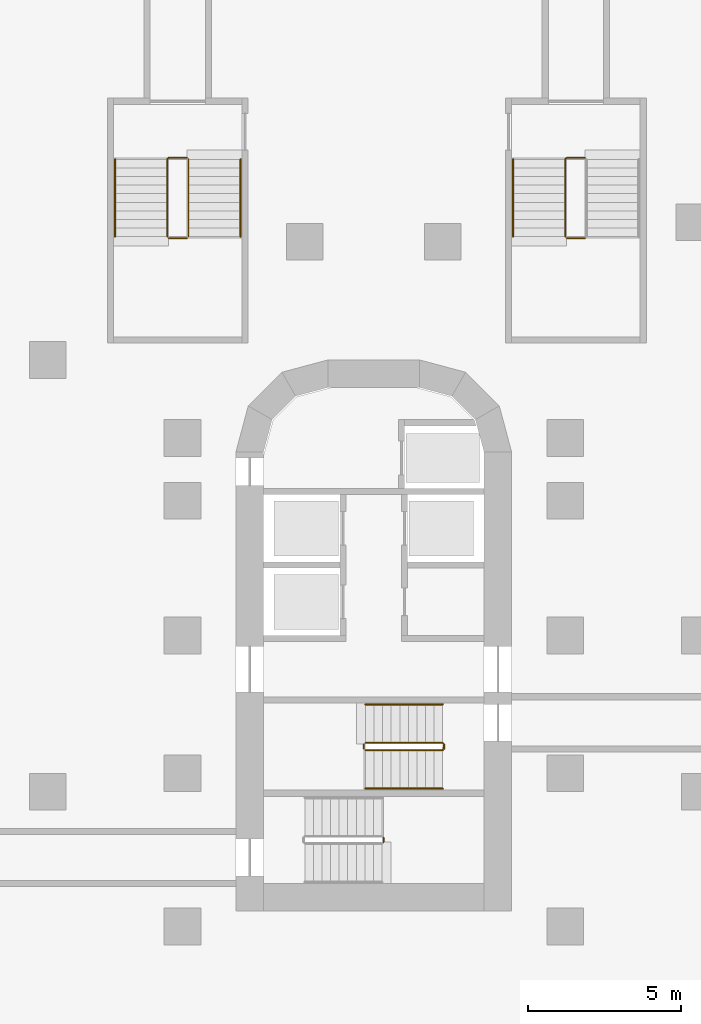
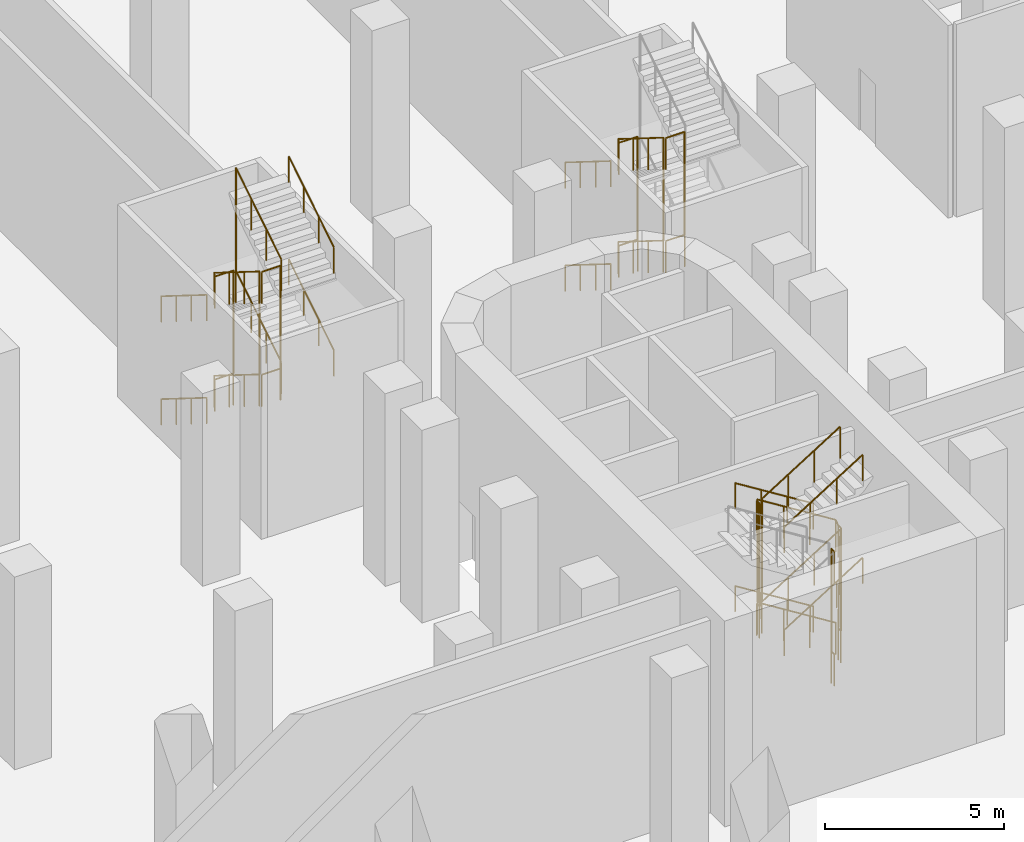
# One storey, part 32 of 34: 18 railings.
"""IFC4 building model written with IfcOpenShell, lengths in metres."""

from ifc_helpers import new_model, si_unit, direction, frame, origin, origin_2d, place, context, subcontext, project, spatial, circle, extrude, material, type_object, element, save


model = new_model("IFC4")

# Units and contexts
model_context = context("Model", 3, precision=1e-05, world=origin(), true_north=direction((0.0, 1.0)))
body_context = subcontext(model_context, "Body", "Model", "MODEL_VIEW")
ifc_project = project(units=[si_unit("LENGTHUNIT", "METRE"), si_unit("AREAUNIT", "SQUARE_METRE"), si_unit("VOLUMEUNIT", "CUBIC_METRE"), si_unit("PLANEANGLEUNIT", "RADIAN"), si_unit("MASSUNIT", "GRAM", prefix="KILO")], contexts=[model_context])

# Site, building, storey
site_placement = place(None, origin())
site = spatial("IfcSite", under=ifc_project, at=site_placement, CompositionType="ELEMENT")
building_placement = place(site_placement, origin())
building = spatial("IfcBuilding", under=site, at=building_placement, Name="Zarbagh Exchange Tower", CompositionType="ELEMENT")
storey_placement = place(building_placement, origin())
storey = spatial("IfcBuildingStorey", under=building, at=storey_placement, Name="L00", CompositionType="ELEMENT", Elevation=0.0)

# Railings
ifc_material = material(Name="Stainless steel", Category="steel")
railing_type_1 = type_object("IfcRailingType", Name="Stair guard 1100 mm", PredefinedType="GUARDRAIL", material=ifc_material)
railing_1_placement = place(storey_placement, frame((2.25, 16.75, 0.175048828125)))
element("IfcRailing", 1, at=railing_1_placement, inside=storey, type_object=railing_type_1, Name="ST1 stair guard 1", PredefinedType="GUARDRAIL", context=body_context, shape_type="SweptSolid", body=[
    extrude(circle(Radius=0.02392578125, at=origin_2d()), frame((0.0, 0.0, 1.076171875), z_axis=(-0.848007534815, 0.0, 0.529984170421), x_axis=(0.0, -1.0, 0.0)), (0.0, 0.0, 1.0), 2.9716796875),
    extrude(circle(Radius=0.02392578125, at=origin_2d()), frame((-2.52001953125, 0.0, 2.65087890625), z_axis=(0.0, 0.0, 1.0), x_axis=(1.0, 0.0, 0.0)), (0.0, 0.0, 1.0), 3.5),
    extrude(circle(Radius=0.02392578125, at=origin_2d()), frame((-2.52001953125, 0.0, 6.15087890625), z_axis=(0.848007534815, 0.0, -0.529984170421), x_axis=(0.0, 1.0, 0.0)), (0.0, 0.0, 1.0), 2.9716796875),
    extrude(circle(Radius=0.02392578125, at=origin_2d()), frame((0.0, 0.0, 4.576171875), z_axis=(0.265065253269, -0.265065253269, -0.927081885822), x_axis=(0.707106781187, 0.707106781187, 0.0)), (0.0, 0.0, 1.0), 0.188720703125),
    extrude(circle(Radius=0.02392578125, at=origin_2d()), frame((0.050048828125, -0.050048828125, 4.40087890625), z_axis=(0.0, -1.0, 0.0), x_axis=(1.0, 0.0, 0.0)), (0.0, 0.0, 1.0), 0.14990234375),
    extrude(circle(Radius=0.02392578125, at=origin_2d()), frame((0.050048828125, -0.199951171875, 4.40087890625), z_axis=(0.0, 0.0, -1.0), x_axis=(1.0, 0.0, 0.0)), (0.0, 0.0, 1.0), 3.5),
    extrude(circle(Radius=0.02392578125, at=origin_2d()), frame((0.050048828125, -0.199951171875, 0.90087890625), z_axis=(0.0, 1.0, 0.0), x_axis=(-1.0, 0.0, 0.0)), (0.0, 0.0, 1.0), 0.14990234375),
    extrude(circle(Radius=0.02392578125, at=origin_2d()), frame((0.050048828125, -0.050048828125, 0.90087890625), z_axis=(-0.014274932499, -0.057030096177, 0.998270401461), x_axis=(0.970072785993, -0.242814311512, 0.0)), (0.0, 0.0, 1.0), 3.506103515625),
    extrude(circle(Radius=0.02392578125, at=origin_2d()), frame((0.0, -0.25, 4.40087890625), z_axis=(-0.848007534815, 0.0, -0.529984170421), x_axis=(0.0, -1.0, 0.0)), (0.0, 0.0, 1.0), 2.9716796875),
    extrude(circle(Radius=0.02392578125, at=origin_2d()), frame((-2.52001953125, -0.25, 2.826171875), z_axis=(0.0, 0.0, 1.0), x_axis=(1.0, 0.0, 0.0)), (0.0, 0.0, 1.0), 3.5),
    extrude(circle(Radius=0.02392578125, at=origin_2d()), frame((-2.52001953125, -0.25, 6.326171875), z_axis=(0.848007534815, 0.0, 0.529984170421), x_axis=(0.0, 1.0, 0.0)), (0.0, 0.0, 1.0), 2.9716796875),
    extrude(circle(Radius=0.02099609375, at=origin_2d()), origin(), (0.0, 0.0, 1.0), 1.052001953125),
    extrude(circle(Radius=0.02099609375, at=origin_2d()), frame((-0.840087890625, 0.0, 0.52490234375)), (0.0, 0.0, 1.0), 1.052001953125),
    extrude(circle(Radius=0.02099609375, at=origin_2d()), frame((-1.679931640625, 0.0, 1.050048828125)), (0.0, 0.0, 1.0), 1.052001953125),
    extrude(circle(Radius=0.02099609375, at=origin_2d()), frame((-2.52001953125, 0.0, 1.574951171875)), (0.0, 0.0, 1.0), 1.052001953125),
    extrude(circle(Radius=0.02099609375, at=origin_2d()), frame((-2.52001953125, 0.0, 2.74169921875)), (0.0, 0.0, 1.0), 1.052001953125),
    extrude(circle(Radius=0.02099609375, at=origin_2d()), frame((-2.52001953125, 0.0, 3.908203125)), (0.0, 0.0, 1.0), 1.052001953125),
    extrude(circle(Radius=0.02099609375, at=origin_2d()), frame((-2.52001953125, 0.0, 5.074951171875)), (0.0, 0.0, 1.0), 1.052001953125),
    extrude(circle(Radius=0.02099609375, at=origin_2d()), frame((-1.679931640625, 0.0, 4.550048828125)), (0.0, 0.0, 1.0), 1.052001953125),
    extrude(circle(Radius=0.02099609375, at=origin_2d()), frame((-0.840087890625, 0.0, 4.02490234375)), (0.0, 0.0, 1.0), 1.052001953125),
    extrude(circle(Radius=0.02099609375, at=origin_2d()), frame((0.0, 0.0, 3.5)), (0.0, 0.0, 1.0), 1.052001953125),
    extrude(circle(Radius=0.02099609375, at=origin_2d()), frame((0.050048828125, -0.050048828125, 3.324951171875)), (0.0, 0.0, 1.0), 1.052001953125),
    extrude(circle(Radius=0.02099609375, at=origin_2d()), frame((0.050048828125, -0.199951171875, 3.324951171875)), (0.0, 0.0, 1.0), 1.052001953125),
    extrude(circle(Radius=0.02099609375, at=origin_2d()), frame((0.050048828125, -0.199951171875, 2.158203125)), (0.0, 0.0, 1.0), 1.052001953125),
    extrude(circle(Radius=0.02099609375, at=origin_2d()), frame((0.050048828125, -0.199951171875, 0.99169921875)), (0.0, 0.0, 1.0), 1.052001953125),
    extrude(circle(Radius=0.02099609375, at=origin_2d()), frame((0.050048828125, -0.199951171875, -0.175048828125)), (0.0, 0.0, 1.0), 1.052001953125),
    extrude(circle(Radius=0.02099609375, at=origin_2d()), frame((0.050048828125, -0.050048828125, -0.175048828125)), (0.0, 0.0, 1.0), 1.052001953125),
    extrude(circle(Radius=0.02099609375, at=origin_2d()), frame((0.033447265625, -0.11669921875, 0.99169921875)), (0.0, 0.0, 1.0), 1.052001953125),
    extrude(circle(Radius=0.02099609375, at=origin_2d()), frame((0.0166015625, -0.183349609375, 2.158203125)), (0.0, 0.0, 1.0), 1.052001953125),
    extrude(circle(Radius=0.02099609375, at=origin_2d()), frame((0.0, -0.25, 3.324951171875)), (0.0, 0.0, 1.0), 1.052001953125),
    extrude(circle(Radius=0.02099609375, at=origin_2d()), frame((-0.840087890625, -0.25, 2.800048828125)), (0.0, 0.0, 1.0), 1.052001953125),
    extrude(circle(Radius=0.02099609375, at=origin_2d()), frame((-1.679931640625, -0.25, 2.27490234375)), (0.0, 0.0, 1.0), 1.052001953125),
    extrude(circle(Radius=0.02099609375, at=origin_2d()), frame((-2.52001953125, -0.25, 1.75)), (0.0, 0.0, 1.0), 1.052001953125),
    extrude(circle(Radius=0.02099609375, at=origin_2d()), frame((-2.52001953125, -0.25, 2.916748046875)), (0.0, 0.0, 1.0), 1.052001953125),
    extrude(circle(Radius=0.02099609375, at=origin_2d()), frame((-2.52001953125, -0.25, 4.083251953125)), (0.0, 0.0, 1.0), 1.052001953125),
    extrude(circle(Radius=0.02099609375, at=origin_2d()), frame((-2.52001953125, -0.25, 5.25)), (0.0, 0.0, 1.0), 1.052001953125),
    extrude(circle(Radius=0.02099609375, at=origin_2d()), frame((-1.679931640625, -0.25, 5.77490234375)), (0.0, 0.0, 1.0), 1.052001953125),
    extrude(circle(Radius=0.02099609375, at=origin_2d()), frame((-0.840087890625, -0.25, 6.300048828125)), (0.0, 0.0, 1.0), 1.052001953125),
    extrude(circle(Radius=0.02099609375, at=origin_2d()), frame((0.0, -0.25, 6.824951171875)), (0.0, 0.0, 1.0), 1.052001953125),
])
railing_2_placement = place(storey_placement, frame((-0.320068359375, 16.699951171875, 1.75)))
element("IfcRailing", 2, at=railing_2_placement, inside=storey, type_object=railing_type_1, Name="ST1 stair guard 2", PredefinedType="GUARDRAIL", context=body_context, shape_type="SweptSolid", body=[
    extrude(circle(Radius=0.02392578125, at=origin_2d()), frame((0.0, 0.0, 1.076171875), z_axis=(0.0, -1.0, 0.0), x_axis=(1.0, 0.0, 0.0)), (0.0, 0.0, 1.0), 0.14990234375),
    extrude(circle(Radius=0.02392578125, at=origin_2d()), frame((0.0, -0.14990234375, 1.076171875), z_axis=(0.0, 0.0, 1.0), x_axis=(1.0, 0.0, 0.0)), (0.0, 0.0, 1.0), 3.5),
    extrude(circle(Radius=0.02392578125, at=origin_2d()), frame((0.0, -0.14990234375, 4.576171875), z_axis=(0.0, 1.0, 0.0), x_axis=(-1.0, 0.0, 0.0)), (0.0, 0.0, 1.0), 0.14990234375),
    extrude(circle(Radius=0.02099609375, at=origin_2d()), origin(), (0.0, 0.0, 1.0), 1.052001953125),
    extrude(circle(Radius=0.02099609375, at=origin_2d()), frame((0.0, -0.14990234375, 0.0)), (0.0, 0.0, 1.0), 1.052001953125),
    extrude(circle(Radius=0.02099609375, at=origin_2d()), frame((0.0, -0.14990234375, 1.166748046875)), (0.0, 0.0, 1.0), 1.052001953125),
    extrude(circle(Radius=0.02099609375, at=origin_2d()), frame((0.0, -0.14990234375, 2.333251953125)), (0.0, 0.0, 1.0), 1.052001953125),
    extrude(circle(Radius=0.02099609375, at=origin_2d()), frame((0.0, -0.14990234375, 3.5)), (0.0, 0.0, 1.0), 1.052001953125),
    extrude(circle(Radius=0.02099609375, at=origin_2d()), frame((0.0, 0.0, 3.5)), (0.0, 0.0, 1.0), 1.052001953125),
])
railing_3_placement = place(storey_placement, frame((0.320068359375, 13.5, 1.75)))
element("IfcRailing", 3, at=railing_3_placement, inside=storey, type_object=railing_type_1, Name="ST2 stair guard 2", PredefinedType="GUARDRAIL", context=body_context, shape_type="SweptSolid", body=[
    extrude(circle(Radius=0.02392578125, at=origin_2d()), frame((0.0, 0.0, 1.076171875), z_axis=(0.0, 1.0, 0.0), x_axis=(-1.0, 0.0, 0.0)), (0.0, 0.0, 1.0), 0.14990234375),
    extrude(circle(Radius=0.02392578125, at=origin_2d()), frame((0.0, 0.14990234375, 1.076171875), z_axis=(0.0, 0.0, 1.0), x_axis=(1.0, 0.0, 0.0)), (0.0, 0.0, 1.0), 3.5),
    extrude(circle(Radius=0.02392578125, at=origin_2d()), frame((0.0, 0.14990234375, 4.576171875), z_axis=(0.0, -1.0, 0.0), x_axis=(1.0, 0.0, 0.0)), (0.0, 0.0, 1.0), 0.14990234375),
    extrude(circle(Radius=0.02099609375, at=origin_2d()), origin(), (0.0, 0.0, 1.0), 1.052001953125),
    extrude(circle(Radius=0.02099609375, at=origin_2d()), frame((0.0, 0.14990234375, 0.0)), (0.0, 0.0, 1.0), 1.052001953125),
    extrude(circle(Radius=0.02099609375, at=origin_2d()), frame((0.0, 0.14990234375, 1.166748046875)), (0.0, 0.0, 1.0), 1.052001953125),
    extrude(circle(Radius=0.02099609375, at=origin_2d()), frame((0.0, 0.14990234375, 2.333251953125)), (0.0, 0.0, 1.0), 1.052001953125),
    extrude(circle(Radius=0.02099609375, at=origin_2d()), frame((0.0, 0.14990234375, 3.5)), (0.0, 0.0, 1.0), 1.052001953125),
    extrude(circle(Radius=0.02099609375, at=origin_2d()), frame((0.0, 0.0, 3.5)), (0.0, 0.0, 1.0), 1.052001953125),
])
railing_4_placement = place(storey_placement, frame((-6.75, 35.800048828125, 0.175048828125)))
element("IfcRailing", 4, at=railing_4_placement, inside=storey, type_object=railing_type_1, Name="PS1 stair guard 1", PredefinedType="GUARDRAIL", context=body_context, shape_type="SweptSolid", body=[
    extrude(circle(Radius=0.02392578125, at=origin_2d()), frame((0.0, 0.0, 1.076171875), z_axis=(0.0, -0.848007534815, 0.529984170421), x_axis=(1.0, 0.0, 0.0)), (0.0, 0.0, 1.0), 2.9716796875),
    extrude(circle(Radius=0.02392578125, at=origin_2d()), frame((0.0, -2.52001953125, 2.65087890625), z_axis=(0.0, 0.0, 1.0), x_axis=(1.0, 0.0, 0.0)), (0.0, 0.0, 1.0), 3.5),
    extrude(circle(Radius=0.02392578125, at=origin_2d()), frame((0.0, -2.52001953125, 6.15087890625), z_axis=(0.0, 0.848007534815, -0.529984170421), x_axis=(-1.0, 0.0, 0.0)), (0.0, 0.0, 1.0), 2.9716796875),
    extrude(circle(Radius=0.02392578125, at=origin_2d()), frame((0.0, 0.0, 4.576171875), z_axis=(0.265065253269, 0.265065253269, -0.927081885822), x_axis=(-0.707106781187, 0.707106781187, 0.0)), (0.0, 0.0, 1.0), 0.188720703125),
    extrude(circle(Radius=0.02392578125, at=origin_2d()), frame((0.050048828125, 0.050048828125, 4.40087890625), z_axis=(1.0, 0.0, 0.0), x_axis=(0.0, 1.0, 0.0)), (0.0, 0.0, 1.0), 0.599853515625),
    extrude(circle(Radius=0.02392578125, at=origin_2d()), frame((0.64990234375, 0.050048828125, 4.40087890625), z_axis=(0.0, 0.0, -1.0), x_axis=(1.0, 0.0, 0.0)), (0.0, 0.0, 1.0), 3.5),
    extrude(circle(Radius=0.02392578125, at=origin_2d()), frame((0.64990234375, 0.050048828125, 0.90087890625), z_axis=(-1.0, 0.0, 0.0), x_axis=(0.0, -1.0, 0.0)), (0.0, 0.0, 1.0), 0.599853515625),
    extrude(circle(Radius=0.02099609375, at=origin_2d()), origin(), (0.0, 0.0, 1.0), 1.052001953125),
    extrude(circle(Radius=0.02099609375, at=origin_2d()), frame((0.0, -0.840087890625, 0.52490234375)), (0.0, 0.0, 1.0), 1.052001953125),
    extrude(circle(Radius=0.02099609375, at=origin_2d()), frame((0.0, -1.679931640625, 1.050048828125)), (0.0, 0.0, 1.0), 1.052001953125),
    extrude(circle(Radius=0.02099609375, at=origin_2d()), frame((0.0, -2.52001953125, 1.574951171875)), (0.0, 0.0, 1.0), 1.052001953125),
    extrude(circle(Radius=0.02099609375, at=origin_2d()), frame((0.0, -2.52001953125, 2.74169921875)), (0.0, 0.0, 1.0), 1.052001953125),
    extrude(circle(Radius=0.02099609375, at=origin_2d()), frame((0.0, -2.52001953125, 3.908203125)), (0.0, 0.0, 1.0), 1.052001953125),
    extrude(circle(Radius=0.02099609375, at=origin_2d()), frame((0.0, -2.52001953125, 5.074951171875)), (0.0, 0.0, 1.0), 1.052001953125),
    extrude(circle(Radius=0.02099609375, at=origin_2d()), frame((0.0, -1.679931640625, 4.550048828125)), (0.0, 0.0, 1.0), 1.052001953125),
    extrude(circle(Radius=0.02099609375, at=origin_2d()), frame((0.0, -0.840087890625, 4.02490234375)), (0.0, 0.0, 1.0), 1.052001953125),
    extrude(circle(Radius=0.02099609375, at=origin_2d()), frame((0.0, 0.0, 3.5)), (0.0, 0.0, 1.0), 1.052001953125),
    extrude(circle(Radius=0.02099609375, at=origin_2d()), frame((0.050048828125, 0.050048828125, 3.324951171875)), (0.0, 0.0, 1.0), 1.052001953125),
    extrude(circle(Radius=0.02099609375, at=origin_2d()), frame((0.64990234375, 0.050048828125, 3.324951171875)), (0.0, 0.0, 1.0), 1.052001953125),
    extrude(circle(Radius=0.02099609375, at=origin_2d()), frame((0.64990234375, 0.050048828125, 2.158203125)), (0.0, 0.0, 1.0), 1.052001953125),
    extrude(circle(Radius=0.02099609375, at=origin_2d()), frame((0.64990234375, 0.050048828125, 0.99169921875)), (0.0, 0.0, 1.0), 1.052001953125),
    extrude(circle(Radius=0.02099609375, at=origin_2d()), frame((0.64990234375, 0.050048828125, -0.175048828125)), (0.0, 0.0, 1.0), 1.052001953125),
    extrude(circle(Radius=0.02099609375, at=origin_2d()), frame((0.050048828125, 0.050048828125, -0.175048828125)), (0.0, 0.0, 1.0), 1.052001953125),
])
railing_5_placement = place(storey_placement, frame((-6.699951171875, 33.22998046875, 1.75)))
element("IfcRailing", 5, at=railing_5_placement, inside=storey, type_object=railing_type_1, Name="PS1 stair guard 2", PredefinedType="GUARDRAIL", context=body_context, shape_type="SweptSolid", body=[
    extrude(circle(Radius=0.02392578125, at=origin_2d()), frame((0.0, 0.0, 1.076171875), z_axis=(1.0, 0.0, 0.0), x_axis=(0.0, 1.0, 0.0)), (0.0, 0.0, 1.0), 0.599853515625),
    extrude(circle(Radius=0.02392578125, at=origin_2d()), frame((0.599853515625, 0.0, 1.076171875), z_axis=(0.0, 0.0, 1.0), x_axis=(1.0, 0.0, 0.0)), (0.0, 0.0, 1.0), 3.5),
    extrude(circle(Radius=0.02392578125, at=origin_2d()), frame((0.599853515625, 0.0, 4.576171875), z_axis=(-1.0, 0.0, 0.0), x_axis=(0.0, -1.0, 0.0)), (0.0, 0.0, 1.0), 0.599853515625),
    extrude(circle(Radius=0.02099609375, at=origin_2d()), origin(), (0.0, 0.0, 1.0), 1.052001953125),
    extrude(circle(Radius=0.02099609375, at=origin_2d()), frame((0.599853515625, 0.0, 0.0)), (0.0, 0.0, 1.0), 1.052001953125),
    extrude(circle(Radius=0.02099609375, at=origin_2d()), frame((0.599853515625, 0.0, 1.166748046875)), (0.0, 0.0, 1.0), 1.052001953125),
    extrude(circle(Radius=0.02099609375, at=origin_2d()), frame((0.599853515625, 0.0, 2.333251953125)), (0.0, 0.0, 1.0), 1.052001953125),
    extrude(circle(Radius=0.02099609375, at=origin_2d()), frame((0.599853515625, 0.0, 3.5)), (0.0, 0.0, 1.0), 1.052001953125),
    extrude(circle(Radius=0.02099609375, at=origin_2d()), frame((0.0, 0.0, 3.5)), (0.0, 0.0, 1.0), 1.052001953125),
])
railing_6_placement = place(storey_placement, frame((-6.050048828125, 33.280029296875, 1.925048828125)))
element("IfcRailing", 6, at=railing_6_placement, inside=storey, type_object=railing_type_1, Name="PS1 stair guard 3", PredefinedType="GUARDRAIL", context=body_context, shape_type="SweptSolid", body=[
    extrude(circle(Radius=0.02392578125, at=origin_2d()), frame((0.0, 0.0, 1.076171875), z_axis=(0.0, 0.848007534815, 0.529984170421), x_axis=(-1.0, 0.0, 0.0)), (0.0, 0.0, 1.0), 2.9716796875),
    extrude(circle(Radius=0.02392578125, at=origin_2d()), frame((0.0, 2.52001953125, 2.65087890625), z_axis=(0.0, 0.0, 1.0), x_axis=(1.0, 0.0, 0.0)), (0.0, 0.0, 1.0), 3.5),
    extrude(circle(Radius=0.02392578125, at=origin_2d()), frame((0.0, 2.52001953125, 6.15087890625), z_axis=(0.0, -0.848007534815, -0.529984170421), x_axis=(1.0, 0.0, 0.0)), (0.0, 0.0, 1.0), 2.9716796875),
    extrude(circle(Radius=0.02099609375, at=origin_2d()), origin(), (0.0, 0.0, 1.0), 1.052001953125),
    extrude(circle(Radius=0.02099609375, at=origin_2d()), frame((0.0, 0.840087890625, 0.52490234375)), (0.0, 0.0, 1.0), 1.052001953125),
    extrude(circle(Radius=0.02099609375, at=origin_2d()), frame((0.0, 1.679931640625, 1.050048828125)), (0.0, 0.0, 1.0), 1.052001953125),
    extrude(circle(Radius=0.02099609375, at=origin_2d()), frame((0.0, 2.52001953125, 1.574951171875)), (0.0, 0.0, 1.0), 1.052001953125),
    extrude(circle(Radius=0.02099609375, at=origin_2d()), frame((0.0, 2.52001953125, 2.74169921875)), (0.0, 0.0, 1.0), 1.052001953125),
    extrude(circle(Radius=0.02099609375, at=origin_2d()), frame((0.0, 2.52001953125, 3.908203125)), (0.0, 0.0, 1.0), 1.052001953125),
    extrude(circle(Radius=0.02099609375, at=origin_2d()), frame((0.0, 2.52001953125, 5.074951171875)), (0.0, 0.0, 1.0), 1.052001953125),
    extrude(circle(Radius=0.02099609375, at=origin_2d()), frame((0.0, 1.679931640625, 4.550048828125)), (0.0, 0.0, 1.0), 1.052001953125),
    extrude(circle(Radius=0.02099609375, at=origin_2d()), frame((0.0, 0.840087890625, 4.02490234375)), (0.0, 0.0, 1.0), 1.052001953125),
    extrude(circle(Radius=0.02099609375, at=origin_2d()), frame((0.0, 0.0, 3.5)), (0.0, 0.0, 1.0), 1.052001953125),
])
railing_7_placement = place(storey_placement, frame((6.25, 35.800048828125, 0.175048828125)))
element("IfcRailing", 7, at=railing_7_placement, inside=storey, type_object=railing_type_1, Name="PS2 stair guard 1", PredefinedType="GUARDRAIL", context=body_context, shape_type="SweptSolid", body=[
    extrude(circle(Radius=0.02392578125, at=origin_2d()), frame((0.0, 0.0, 1.076171875), z_axis=(0.0, -0.848007534815, 0.529984170421), x_axis=(1.0, 0.0, 0.0)), (0.0, 0.0, 1.0), 2.9716796875),
    extrude(circle(Radius=0.02392578125, at=origin_2d()), frame((0.0, -2.52001953125, 2.65087890625), z_axis=(0.0, 0.0, 1.0), x_axis=(1.0, 0.0, 0.0)), (0.0, 0.0, 1.0), 3.5),
    extrude(circle(Radius=0.02392578125, at=origin_2d()), frame((0.0, -2.52001953125, 6.15087890625), z_axis=(0.0, 0.848007534815, -0.529984170421), x_axis=(-1.0, 0.0, 0.0)), (0.0, 0.0, 1.0), 2.9716796875),
    extrude(circle(Radius=0.02392578125, at=origin_2d()), frame((0.0, 0.0, 4.576171875), z_axis=(0.265065253269, 0.265065253269, -0.927081885822), x_axis=(-0.707106781187, 0.707106781187, 0.0)), (0.0, 0.0, 1.0), 0.188720703125),
    extrude(circle(Radius=0.02392578125, at=origin_2d()), frame((0.050048828125, 0.050048828125, 4.40087890625), z_axis=(1.0, 0.0, 0.0), x_axis=(0.0, 1.0, 0.0)), (0.0, 0.0, 1.0), 0.599853515625),
    extrude(circle(Radius=0.02392578125, at=origin_2d()), frame((0.64990234375, 0.050048828125, 4.40087890625), z_axis=(0.0, 0.0, -1.0), x_axis=(1.0, 0.0, 0.0)), (0.0, 0.0, 1.0), 3.5),
    extrude(circle(Radius=0.02392578125, at=origin_2d()), frame((0.64990234375, 0.050048828125, 0.90087890625), z_axis=(-1.0, 0.0, 0.0), x_axis=(0.0, -1.0, 0.0)), (0.0, 0.0, 1.0), 0.599853515625),
    extrude(circle(Radius=0.02099609375, at=origin_2d()), origin(), (0.0, 0.0, 1.0), 1.052001953125),
    extrude(circle(Radius=0.02099609375, at=origin_2d()), frame((0.0, -0.840087890625, 0.52490234375)), (0.0, 0.0, 1.0), 1.052001953125),
    extrude(circle(Radius=0.02099609375, at=origin_2d()), frame((0.0, -1.679931640625, 1.050048828125)), (0.0, 0.0, 1.0), 1.052001953125),
    extrude(circle(Radius=0.02099609375, at=origin_2d()), frame((0.0, -2.52001953125, 1.574951171875)), (0.0, 0.0, 1.0), 1.052001953125),
    extrude(circle(Radius=0.02099609375, at=origin_2d()), frame((0.0, -2.52001953125, 2.74169921875)), (0.0, 0.0, 1.0), 1.052001953125),
    extrude(circle(Radius=0.02099609375, at=origin_2d()), frame((0.0, -2.52001953125, 3.908203125)), (0.0, 0.0, 1.0), 1.052001953125),
    extrude(circle(Radius=0.02099609375, at=origin_2d()), frame((0.0, -2.52001953125, 5.074951171875)), (0.0, 0.0, 1.0), 1.052001953125),
    extrude(circle(Radius=0.02099609375, at=origin_2d()), frame((0.0, -1.679931640625, 4.550048828125)), (0.0, 0.0, 1.0), 1.052001953125),
    extrude(circle(Radius=0.02099609375, at=origin_2d()), frame((0.0, -0.840087890625, 4.02490234375)), (0.0, 0.0, 1.0), 1.052001953125),
    extrude(circle(Radius=0.02099609375, at=origin_2d()), frame((0.0, 0.0, 3.5)), (0.0, 0.0, 1.0), 1.052001953125),
    extrude(circle(Radius=0.02099609375, at=origin_2d()), frame((0.050048828125, 0.050048828125, 3.324951171875)), (0.0, 0.0, 1.0), 1.052001953125),
    extrude(circle(Radius=0.02099609375, at=origin_2d()), frame((0.64990234375, 0.050048828125, 3.324951171875)), (0.0, 0.0, 1.0), 1.052001953125),
    extrude(circle(Radius=0.02099609375, at=origin_2d()), frame((0.64990234375, 0.050048828125, 2.158203125)), (0.0, 0.0, 1.0), 1.052001953125),
    extrude(circle(Radius=0.02099609375, at=origin_2d()), frame((0.64990234375, 0.050048828125, 0.99169921875)), (0.0, 0.0, 1.0), 1.052001953125),
    extrude(circle(Radius=0.02099609375, at=origin_2d()), frame((0.64990234375, 0.050048828125, -0.175048828125)), (0.0, 0.0, 1.0), 1.052001953125),
    extrude(circle(Radius=0.02099609375, at=origin_2d()), frame((0.050048828125, 0.050048828125, -0.175048828125)), (0.0, 0.0, 1.0), 1.052001953125),
])
railing_8_placement = place(storey_placement, frame((6.300048828125, 33.22998046875, 1.75)))
element("IfcRailing", 8, at=railing_8_placement, inside=storey, type_object=railing_type_1, Name="PS2 stair guard 2", PredefinedType="GUARDRAIL", context=body_context, shape_type="SweptSolid", body=[
    extrude(circle(Radius=0.02392578125, at=origin_2d()), frame((0.0, 0.0, 1.076171875), z_axis=(1.0, 0.0, 0.0), x_axis=(0.0, 1.0, 0.0)), (0.0, 0.0, 1.0), 0.599853515625),
    extrude(circle(Radius=0.02392578125, at=origin_2d()), frame((0.599853515625, 0.0, 1.076171875), z_axis=(0.0, 0.0, 1.0), x_axis=(1.0, 0.0, 0.0)), (0.0, 0.0, 1.0), 3.5),
    extrude(circle(Radius=0.02392578125, at=origin_2d()), frame((0.599853515625, 0.0, 4.576171875), z_axis=(-1.0, 0.0, 0.0), x_axis=(0.0, -1.0, 0.0)), (0.0, 0.0, 1.0), 0.599853515625),
    extrude(circle(Radius=0.02099609375, at=origin_2d()), origin(), (0.0, 0.0, 1.0), 1.052001953125),
    extrude(circle(Radius=0.02099609375, at=origin_2d()), frame((0.599853515625, 0.0, 0.0)), (0.0, 0.0, 1.0), 1.052001953125),
    extrude(circle(Radius=0.02099609375, at=origin_2d()), frame((0.599853515625, 0.0, 1.166748046875)), (0.0, 0.0, 1.0), 1.052001953125),
    extrude(circle(Radius=0.02099609375, at=origin_2d()), frame((0.599853515625, 0.0, 2.333251953125)), (0.0, 0.0, 1.0), 1.052001953125),
    extrude(circle(Radius=0.02099609375, at=origin_2d()), frame((0.599853515625, 0.0, 3.5)), (0.0, 0.0, 1.0), 1.052001953125),
    extrude(circle(Radius=0.02099609375, at=origin_2d()), frame((0.0, 0.0, 3.5)), (0.0, 0.0, 1.0), 1.052001953125),
])
railing_type_2 = type_object("IfcRailingType", Name="Stair handrail 900 mm", PredefinedType="HANDRAIL", material=ifc_material)
railing_9_placement = place(storey_placement, frame((2.25, 18.0, 0.175048828125)))
element("IfcRailing", 9, at=railing_9_placement, inside=storey, type_object=railing_type_2, Name="ST1 stair handrail 1", PredefinedType="HANDRAIL", context=body_context, shape_type="SweptSolid", body=[
    extrude(circle(Radius=0.02392578125, at=origin_2d()), frame((0.0, 0.0, 0.8759765625), z_axis=(-0.848007534815, 0.0, 0.529984170421), x_axis=(0.0, -1.0, 0.0)), (0.0, 0.0, 1.0), 2.9716796875),
    extrude(circle(Radius=0.02099609375, at=origin_2d()), origin(), (0.0, 0.0, 1.0), 0.851806640625),
    extrude(circle(Radius=0.02099609375, at=origin_2d()), frame((-0.840087890625, 0.0, 0.52490234375)), (0.0, 0.0, 1.0), 0.851806640625),
    extrude(circle(Radius=0.02099609375, at=origin_2d()), frame((-1.679931640625, 0.0, 1.050048828125)), (0.0, 0.0, 1.0), 0.851806640625),
    extrude(circle(Radius=0.02099609375, at=origin_2d()), frame((-2.52001953125, 0.0, 1.574951171875)), (0.0, 0.0, 1.0), 0.851806640625),
])
railing_10_placement = place(storey_placement, frame((-0.27001953125, 15.25, 1.925048828125)))
element("IfcRailing", 10, at=railing_10_placement, inside=storey, type_object=railing_type_2, Name="ST1 stair handrail 2", PredefinedType="HANDRAIL", context=body_context, shape_type="SweptSolid", body=[
    extrude(circle(Radius=0.02392578125, at=origin_2d()), frame((0.0, 0.0, 0.8759765625), z_axis=(0.848007534815, 0.0, 0.529984170421), x_axis=(0.0, 1.0, 0.0)), (0.0, 0.0, 1.0), 2.9716796875),
    extrude(circle(Radius=0.02099609375, at=origin_2d()), origin(), (0.0, 0.0, 1.0), 0.851806640625),
    extrude(circle(Radius=0.02099609375, at=origin_2d()), frame((0.840087890625, 0.0, 0.52490234375)), (0.0, 0.0, 1.0), 0.851806640625),
    extrude(circle(Radius=0.02099609375, at=origin_2d()), frame((1.679931640625, 0.0, 1.050048828125)), (0.0, 0.0, 1.0), 0.851806640625),
    extrude(circle(Radius=0.02099609375, at=origin_2d()), frame((2.52001953125, 0.0, 1.574951171875)), (0.0, 0.0, 1.0), 0.851806640625),
])
railing_11_placement = place(storey_placement, frame((2.25, 18.0, 3.675048828125)))
element("IfcRailing", 11, at=railing_11_placement, inside=storey, type_object=railing_type_2, Name="ST1 stair handrail 3", PredefinedType="HANDRAIL", context=body_context, shape_type="SweptSolid", body=[
    extrude(circle(Radius=0.02392578125, at=origin_2d()), frame((0.0, 0.0, 0.8759765625), z_axis=(-0.848007534815, 0.0, 0.529984170421), x_axis=(0.0, -1.0, 0.0)), (0.0, 0.0, 1.0), 2.9716796875),
    extrude(circle(Radius=0.02099609375, at=origin_2d()), origin(), (0.0, 0.0, 1.0), 0.851806640625),
    extrude(circle(Radius=0.02099609375, at=origin_2d()), frame((-0.840087890625, 0.0, 0.52490234375)), (0.0, 0.0, 1.0), 0.851806640625),
    extrude(circle(Radius=0.02099609375, at=origin_2d()), frame((-1.679931640625, 0.0, 1.050048828125)), (0.0, 0.0, 1.0), 0.851806640625),
    extrude(circle(Radius=0.02099609375, at=origin_2d()), frame((-2.52001953125, 0.0, 1.574951171875)), (0.0, 0.0, 1.0), 0.851806640625),
])
railing_12_placement = place(storey_placement, frame((-0.27001953125, 15.25, 5.425048828125)))
element("IfcRailing", 12, at=railing_12_placement, inside=storey, type_object=railing_type_2, Name="ST1 stair handrail 4", PredefinedType="HANDRAIL", context=body_context, shape_type="SweptSolid", body=[
    extrude(circle(Radius=0.02392578125, at=origin_2d()), frame((0.0, 0.0, 0.8759765625), z_axis=(0.848007534815, 0.0, 0.529984170421), x_axis=(0.0, 1.0, 0.0)), (0.0, 0.0, 1.0), 2.9716796875),
    extrude(circle(Radius=0.02099609375, at=origin_2d()), origin(), (0.0, 0.0, 1.0), 0.851806640625),
    extrude(circle(Radius=0.02099609375, at=origin_2d()), frame((0.840087890625, 0.0, 0.52490234375)), (0.0, 0.0, 1.0), 0.851806640625),
    extrude(circle(Radius=0.02099609375, at=origin_2d()), frame((1.679931640625, 0.0, 1.050048828125)), (0.0, 0.0, 1.0), 0.851806640625),
    extrude(circle(Radius=0.02099609375, at=origin_2d()), frame((2.52001953125, 0.0, 1.574951171875)), (0.0, 0.0, 1.0), 0.851806640625),
])
railing_13_placement = place(storey_placement, frame((-8.449951171875, 35.800048828125, 0.175048828125)))
element("IfcRailing", 13, at=railing_13_placement, inside=storey, type_object=railing_type_2, Name="PS1 stair handrail 1", PredefinedType="HANDRAIL", context=body_context, shape_type="SweptSolid", body=[
    extrude(circle(Radius=0.02392578125, at=origin_2d()), frame((0.0, 0.0, 0.8759765625), z_axis=(0.0, -0.848007534815, 0.529984170421), x_axis=(1.0, 0.0, 0.0)), (0.0, 0.0, 1.0), 2.9716796875),
    extrude(circle(Radius=0.02099609375, at=origin_2d()), origin(), (0.0, 0.0, 1.0), 0.851806640625),
    extrude(circle(Radius=0.02099609375, at=origin_2d()), frame((0.0, -0.840087890625, 0.52490234375)), (0.0, 0.0, 1.0), 0.851806640625),
    extrude(circle(Radius=0.02099609375, at=origin_2d()), frame((0.0, -1.679931640625, 1.050048828125)), (0.0, 0.0, 1.0), 0.851806640625),
    extrude(circle(Radius=0.02099609375, at=origin_2d()), frame((0.0, -2.52001953125, 1.574951171875)), (0.0, 0.0, 1.0), 0.851806640625),
])
railing_14_placement = place(storey_placement, frame((-4.35009765625, 33.280029296875, 1.925048828125)))
element("IfcRailing", 14, at=railing_14_placement, inside=storey, type_object=railing_type_2, Name="PS1 stair handrail 2", PredefinedType="HANDRAIL", context=body_context, shape_type="SweptSolid", body=[
    extrude(circle(Radius=0.02392578125, at=origin_2d()), frame((0.0, 0.0, 0.8759765625), z_axis=(0.0, 0.848007534815, 0.529984170421), x_axis=(-1.0, 0.0, 0.0)), (0.0, 0.0, 1.0), 2.9716796875),
    extrude(circle(Radius=0.02099609375, at=origin_2d()), origin(), (0.0, 0.0, 1.0), 0.851806640625),
    extrude(circle(Radius=0.02099609375, at=origin_2d()), frame((0.0, 0.840087890625, 0.52490234375)), (0.0, 0.0, 1.0), 0.851806640625),
    extrude(circle(Radius=0.02099609375, at=origin_2d()), frame((0.0, 1.679931640625, 1.050048828125)), (0.0, 0.0, 1.0), 0.851806640625),
    extrude(circle(Radius=0.02099609375, at=origin_2d()), frame((0.0, 2.52001953125, 1.574951171875)), (0.0, 0.0, 1.0), 0.851806640625),
])
railing_15_placement = place(storey_placement, frame((-8.449951171875, 35.800048828125, 3.675048828125)))
element("IfcRailing", 15, at=railing_15_placement, inside=storey, type_object=railing_type_2, Name="PS1 stair handrail 3", PredefinedType="HANDRAIL", context=body_context, shape_type="SweptSolid", body=[
    extrude(circle(Radius=0.02392578125, at=origin_2d()), frame((0.0, 0.0, 0.8759765625), z_axis=(0.0, -0.848007534815, 0.529984170421), x_axis=(1.0, 0.0, 0.0)), (0.0, 0.0, 1.0), 2.9716796875),
    extrude(circle(Radius=0.02099609375, at=origin_2d()), origin(), (0.0, 0.0, 1.0), 0.851806640625),
    extrude(circle(Radius=0.02099609375, at=origin_2d()), frame((0.0, -0.840087890625, 0.52490234375)), (0.0, 0.0, 1.0), 0.851806640625),
    extrude(circle(Radius=0.02099609375, at=origin_2d()), frame((0.0, -1.679931640625, 1.050048828125)), (0.0, 0.0, 1.0), 0.851806640625),
    extrude(circle(Radius=0.02099609375, at=origin_2d()), frame((0.0, -2.52001953125, 1.574951171875)), (0.0, 0.0, 1.0), 0.851806640625),
])
railing_16_placement = place(storey_placement, frame((-4.35009765625, 33.280029296875, 5.425048828125)))
element("IfcRailing", 16, at=railing_16_placement, inside=storey, type_object=railing_type_2, Name="PS1 stair handrail 4", PredefinedType="HANDRAIL", context=body_context, shape_type="SweptSolid", body=[
    extrude(circle(Radius=0.02392578125, at=origin_2d()), frame((0.0, 0.0, 0.8759765625), z_axis=(0.0, 0.848007534815, 0.529984170421), x_axis=(-1.0, 0.0, 0.0)), (0.0, 0.0, 1.0), 2.9716796875),
    extrude(circle(Radius=0.02099609375, at=origin_2d()), origin(), (0.0, 0.0, 1.0), 0.851806640625),
    extrude(circle(Radius=0.02099609375, at=origin_2d()), frame((0.0, 0.840087890625, 0.52490234375)), (0.0, 0.0, 1.0), 0.851806640625),
    extrude(circle(Radius=0.02099609375, at=origin_2d()), frame((0.0, 1.679931640625, 1.050048828125)), (0.0, 0.0, 1.0), 0.851806640625),
    extrude(circle(Radius=0.02099609375, at=origin_2d()), frame((0.0, 2.52001953125, 1.574951171875)), (0.0, 0.0, 1.0), 0.851806640625),
])
for number, where, name in (
    (17, (4.550048828125, 35.800048828125, 0.175048828125), "PS2 stair handrail 1"),
    (18, (4.550048828125, 35.800048828125, 3.675048828125), "PS2 stair handrail 3"),
):
    element("IfcRailing", number, at=place(storey_placement, frame(where)), inside=storey, type_object=railing_type_2, Name=name, PredefinedType="HANDRAIL", context=body_context, shape_type="SweptSolid", body=[
        extrude(circle(Radius=0.02392578125, at=origin_2d()), frame((0.0, 0.0, 0.8759765625), z_axis=(0.0, -0.848007534815, 0.529984170421), x_axis=(1.0, 0.0, 0.0)), (0.0, 0.0, 1.0), 2.9716796875),
        extrude(circle(Radius=0.02099609375, at=origin_2d()), origin(), (0.0, 0.0, 1.0), 0.851806640625),
        extrude(circle(Radius=0.02099609375, at=origin_2d()), frame((0.0, -0.840087890625, 0.52490234375)), (0.0, 0.0, 1.0), 0.851806640625),
        extrude(circle(Radius=0.02099609375, at=origin_2d()), frame((0.0, -1.679931640625, 1.050048828125)), (0.0, 0.0, 1.0), 0.851806640625),
        extrude(circle(Radius=0.02099609375, at=origin_2d()), frame((0.0, -2.52001953125, 1.574951171875)), (0.0, 0.0, 1.0), 0.851806640625),
    ])

save(model, "model.ifc")
